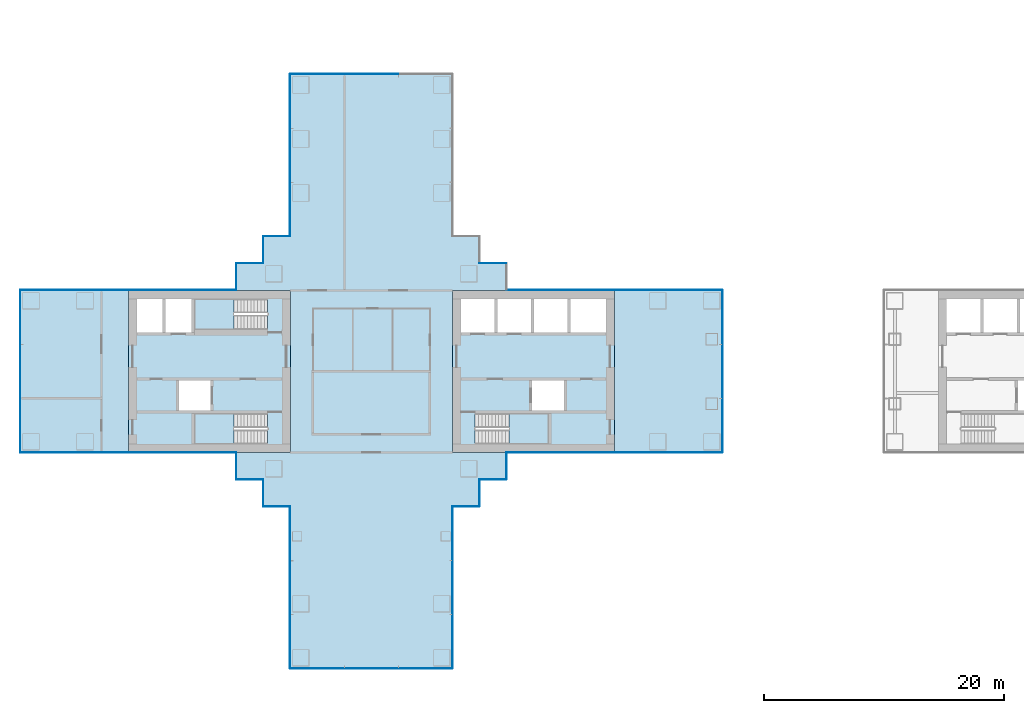
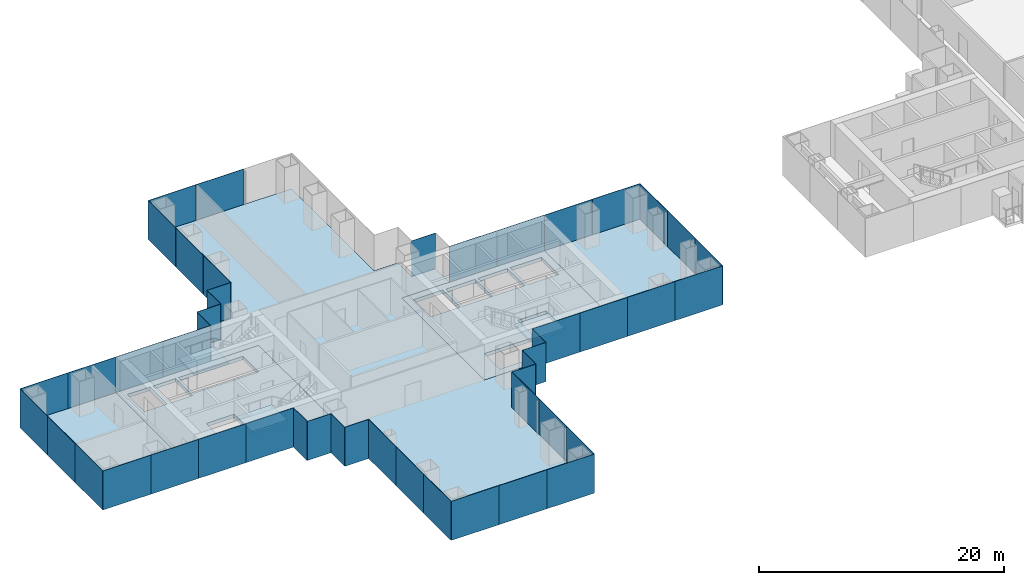
# One storey, part 11 of 22: 49 plates, 8 slabs, 22 elements without a shape of their own.
"""IFC4 building model written with IfcOpenShell, lengths in metres."""

from ifc_helpers import new_model, si_unit, direction, frame, origin, origin_2d, place, context, subcontext, project, spatial, polyline, rectangle, outline, extrude, material, layer, layer_set, type_object, element, aggregate, save


model = new_model("IFC4")

# Units and contexts
model_context = context("Model", 3, precision=1e-05, world=origin(), true_north=direction((0.0, 1.0)))
body_context = subcontext(model_context, "Body", "Model", "MODEL_VIEW")
ifc_project = project(units=[si_unit("LENGTHUNIT", "METRE"), si_unit("AREAUNIT", "SQUARE_METRE"), si_unit("VOLUMEUNIT", "CUBIC_METRE"), si_unit("PLANEANGLEUNIT", "RADIAN"), si_unit("MASSUNIT", "GRAM", prefix="KILO")], contexts=[model_context])

# Site, building, storey
site_placement = place(None, origin())
site = spatial("IfcSite", under=ifc_project, at=site_placement, CompositionType="ELEMENT")
building_placement = place(site_placement, origin())
building = spatial("IfcBuilding", under=site, at=building_placement, Name="Shamsa Quay Exchange Towers", CompositionType="ELEMENT")
storey_placement = place(building_placement, frame((0.0, 0.0, 69.300048828125)))
storey = spatial("IfcBuildingStorey", under=building, at=storey_placement, Name="L15", CompositionType="ELEMENT", Elevation=69.300048828125)

# Slabs
ifc_material_1 = material(Name="Concrete C50/60", Category="concrete")
ifc_layer_1 = layer(ifc_material_1, 0.35009765625)
ifc_layer_set_1 = layer_set([ifc_layer_1], Name="CORE FLOOR 350 C50/60")
slab_type_1 = type_object("IfcSlabType", Name="CORE FLOOR 350 C50/60", PredefinedType="FLOOR", material=ifc_layer_set_1)
slab_1_placement = place(storey_placement, frame((0.0, 0.0, -0.35009765625)))
element("IfcSlab", 1, at=slab_1_placement, inside=storey, type_object=slab_type_1, Name="Core floor T1A", PredefinedType="FLOOR", context=body_context, shape_type="SweptSolid", body=[
    extrude(outline(polyline([(-27.0, -6.75), (-13.5, -6.75), (-13.5, 6.75), (-27.0, 6.75), (-27.0, -6.75)]), holes=[polyline([(-25.099365234375, -6.050048828125), (-25.099365234375, -3.5), (-19.0, -3.5), (-19.0, -6.050048828125), (-25.099365234375, -6.050048828125)]), polyline([(-26.300048828125, 3.25), (-26.300048828125, 6.050048828125), (-23.5, 6.050048828125), (-23.5, 3.25), (-26.300048828125, 3.25)]), polyline([(-23.25, 3.25), (-23.25, 6.050048828125), (-20.449951171875, 6.050048828125), (-20.449951171875, 3.25), (-23.25, 3.25)]), polyline([(-20.199951171875, 3.25), (-20.199951171875, 6.050048828125), (-17.39990234375, 6.050048828125), (-17.39990234375, 3.25), (-20.199951171875, 3.25)]), polyline([(-17.14990234375, 3.25), (-17.14990234375, 6.050048828125), (-14.199951171875, 6.050048828125), (-14.199951171875, 3.25), (-17.14990234375, 3.25)]), polyline([(-20.35009765625, -3.25), (-20.35009765625, -0.75), (-17.699951171875, -0.75), (-17.699951171875, -3.25), (-20.35009765625, -3.25)])]), origin(), (0.0, 0.0, 1.0), 0.35009765625),
])
slab_2_placement = place(storey_placement, frame((0.0, 0.0, -0.35009765625)))
element("IfcSlab", 2, at=slab_2_placement, inside=storey, type_object=slab_type_1, Name="Core floor T1B", PredefinedType="FLOOR", context=body_context, shape_type="SweptSolid", body=[
    extrude(outline(polyline([(-40.5, -6.75), (-40.5, 6.75), (-54.0, 6.75), (-54.0, -6.75), (-40.5, -6.75)]), holes=[polyline([(-42.400634765625, -3.5), (-42.400634765625, -6.050048828125), (-48.5, -6.050048828125), (-48.5, -3.5), (-42.400634765625, -3.5)]), polyline([(-42.400634765625, 6.050048828125), (-42.400634765625, 3.5), (-48.5, 3.5), (-48.5, 6.050048828125), (-42.400634765625, 6.050048828125)]), polyline([(-48.75, 3.25), (-50.89990234375, 3.25), (-50.89990234375, 6.050048828125), (-48.75, 6.050048828125), (-48.75, 3.25)]), polyline([(-51.14990234375, 3.25), (-53.300048828125, 3.25), (-53.300048828125, 6.050048828125), (-51.14990234375, 6.050048828125), (-51.14990234375, 3.25)]), polyline([(-47.14990234375, -3.25), (-49.800048828125, -3.25), (-49.800048828125, -0.75), (-47.14990234375, -0.75), (-47.14990234375, -3.25)])]), origin(), (0.0, 0.0, 1.0), 0.35009765625),
])

# Stair, slab
ifc_material_2 = material(Name="Concrete C40/50", Category="concrete")
stair_type = type_object("IfcStairType", Name="EXIT STAIR 22 RISERS 177 MM", PredefinedType="HALF_TURN_STAIR", material=ifc_material_2)
stair_1_placement = place(storey_placement, origin())
stair_1 = element("IfcStair", 3, at=stair_1_placement, inside=storey, type_object=stair_type, Name="L15 Exit stair ST1", PredefinedType="HALF_TURN_STAIR")
ifc_layer_2 = layer(ifc_material_2, 0.199951171875)
ifc_layer_set_2 = layer_set([ifc_layer_2], Name="CORE STAIR LANDING")
slab_type_2 = type_object("IfcSlabType", Name="CORE STAIR LANDING", PredefinedType="LANDING", material=ifc_layer_set_2)
slab_3_placement = place(storey_placement, frame((0.0, 0.0, 1.75)))
slab_3 = element("IfcSlab", 4, at=slab_3_placement, type_object=slab_type_2, Name="ST1 landing 1", PredefinedType="LANDING", context=body_context, shape_type="SweptSolid", body=[
    extrude(outline(polyline([(-22.300048828125, -6.050048828125), (-19.0, -6.050048828125), (-19.0, -3.5), (-22.300048828125, -3.5), (-22.300048828125, -6.050048828125)])), origin(), (0.0, 0.0, 1.0), 0.199951171875),
])
aggregate(stair_1, [slab_3])

stair_2_placement = place(storey_placement, origin())
stair_2 = element("IfcStair", 5, at=stair_2_placement, inside=storey, type_object=stair_type, Name="L15 Exit stair ST2", PredefinedType="HALF_TURN_STAIR")
slab_4_placement = place(storey_placement, frame((0.0, 0.0, 1.75)))
slab_4 = element("IfcSlab", 6, at=slab_4_placement, type_object=slab_type_2, Name="ST2 landing 1", PredefinedType="LANDING", context=body_context, shape_type="SweptSolid", body=[
    extrude(outline(polyline([(-45.199951171875, -3.5), (-48.5, -3.5), (-48.5, -6.050048828125), (-45.199951171875, -6.050048828125), (-45.199951171875, -3.5)])), origin(), (0.0, 0.0, 1.0), 0.199951171875),
])
aggregate(stair_2, [slab_4])

stair_3_placement = place(storey_placement, origin())
stair_3 = element("IfcStair", 7, at=stair_3_placement, inside=storey, type_object=stair_type, Name="L15 Exit stair ST3", PredefinedType="HALF_TURN_STAIR")
slab_5_placement = place(storey_placement, frame((0.0, 0.0, 1.75)))
slab_5 = element("IfcSlab", 8, at=slab_5_placement, type_object=slab_type_2, Name="ST3 landing 1", PredefinedType="LANDING", context=body_context, shape_type="SweptSolid", body=[
    extrude(outline(polyline([(-45.199951171875, 6.050048828125), (-48.5, 6.050048828125), (-48.5, 3.5), (-45.199951171875, 3.5), (-45.199951171875, 6.050048828125)])), origin(), (0.0, 0.0, 1.0), 0.199951171875),
])
aggregate(stair_3, [slab_5])

# Curtain wall, plates
ifc_material_3 = material(Name="Aluminium EN AW-6063 T6, black anodised", Category="aluminium")
ifc_layer_3 = layer(ifc_material_3, 0.280029296875)
ifc_layer_set_3 = layer_set([ifc_layer_3], Name="CW-1 UNITISED VISION GLASS")
curtain_wall_type_1 = type_object("IfcCurtainWallType", Name="CW-1 UNITISED VISION GLASS", PredefinedType="NOTDEFINED", material=ifc_layer_set_3)
curtain_wall_1_placement = place(storey_placement, origin())
curtain_wall_1 = element("IfcCurtainWall", 9, at=curtain_wall_1_placement, inside=storey, type_object=curtain_wall_type_1, Name="CW1 T1-FLK-V-W L15", PredefinedType="NOTDEFINED")
ifc_material_4 = material(Name="Glass, laminated, dark tinted", Category="glass")
ifc_layer_4 = layer(ifc_material_4, 0.0400390625)
ifc_layer_set_4 = layer_set([ifc_layer_4], Name="CW-1 VISION GLASS 40")
plate_type_1 = type_object("IfcPlateType", Name="CW-1 VISION GLASS 40", PredefinedType="CURTAIN_PANEL", material=ifc_layer_set_4)
plate_1_placement = place(storey_placement, frame((-40.52001953125, -13.529052734375, -0.35009765625), z_axis=(0.0, 0.0, 1.0), x_axis=(0.0, -1.0, 0.0)))
plate_1 = element("IfcPlate", 10, at=plate_1_placement, type_object=plate_type_1, Name="CW1 glass panel", PredefinedType="CURTAIN_PANEL", context=body_context, shape_type="SweptSolid", body=[
    extrude(rectangle(XDim=4.482421875, YDim=0.0400390625, at=origin_2d()), origin(), (0.0, 0.0, 1.0), 3.89990234375),
])
plate_2_placement = place(storey_placement, frame((-40.52001953125, -18.01904296875, -0.35009765625), z_axis=(0.0, 0.0, 1.0), x_axis=(0.0, -1.0, 0.0)))
plate_2 = element("IfcPlate", 11, at=plate_2_placement, type_object=plate_type_1, Name="CW1 glass panel", PredefinedType="CURTAIN_PANEL", context=body_context, shape_type="SweptSolid", body=[
    extrude(rectangle(XDim=4.477294921875, YDim=0.0400390625, at=origin_2d()), origin(), (0.0, 0.0, 1.0), 3.89990234375),
])
plate_3_placement = place(storey_placement, frame((-40.52001953125, -22.5087890625, -0.35009765625), z_axis=(0.0, 0.0, 1.0), x_axis=(0.0, -1.0, 0.0)))
plate_3 = element("IfcPlate", 12, at=plate_3_placement, type_object=plate_type_1, Name="CW1 glass panel", PredefinedType="CURTAIN_PANEL", context=body_context, shape_type="SweptSolid", body=[
    extrude(rectangle(XDim=4.482421875, YDim=0.0400390625, at=origin_2d()), origin(), (0.0, 0.0, 1.0), 3.89990234375),
])
aggregate(curtain_wall_1, [plate_1, plate_2, plate_3])

curtain_wall_2_placement = place(storey_placement, origin())
curtain_wall_2 = element("IfcCurtainWall", 13, at=curtain_wall_2_placement, inside=storey, type_object=curtain_wall_type_1, Name="CW1 T1-END-V- L15", PredefinedType="NOTDEFINED")
plate_4_placement = place(storey_placement, frame((-38.25244140625, -24.77001953125, -0.35009765625)))
plate_4 = element("IfcPlate", 14, at=plate_4_placement, type_object=plate_type_1, Name="CW1 glass panel", PredefinedType="CURTAIN_PANEL", context=body_context, shape_type="SweptSolid", body=[
    extrude(rectangle(XDim=4.4951171875, YDim=0.0400390625, at=origin_2d()), origin(), (0.0, 0.0, 1.0), 3.89990234375),
])
plate_5_placement = place(storey_placement, frame((-33.75, -24.77001953125, -0.35009765625)))
plate_5 = element("IfcPlate", 15, at=plate_5_placement, type_object=plate_type_1, Name="CW1 glass panel", PredefinedType="CURTAIN_PANEL", context=body_context, shape_type="SweptSolid", body=[
    extrude(rectangle(XDim=4.489990234375, YDim=0.0400390625, at=origin_2d()), origin(), (0.0, 0.0, 1.0), 3.89990234375),
])
plate_6_placement = place(storey_placement, frame((-29.24755859375, -24.77001953125, -0.35009765625)))
plate_6 = element("IfcPlate", 16, at=plate_6_placement, type_object=plate_type_1, Name="CW1 glass panel", PredefinedType="CURTAIN_PANEL", context=body_context, shape_type="SweptSolid", body=[
    extrude(rectangle(XDim=4.4951171875, YDim=0.0400390625, at=origin_2d()), origin(), (0.0, 0.0, 1.0), 3.89990234375),
])
aggregate(curtain_wall_2, [plate_4, plate_5, plate_6])

curtain_wall_3_placement = place(storey_placement, origin())
curtain_wall_3 = element("IfcCurtainWall", 17, at=curtain_wall_3_placement, inside=storey, type_object=curtain_wall_type_1, Name="CW1 T1-FLK-V-E L15", PredefinedType="NOTDEFINED")
plate_7_placement = place(storey_placement, frame((-26.97998046875, -22.50244140625, -0.35009765625), z_axis=(0.0, 0.0, 1.0), x_axis=(0.0, 1.0, 0.0)))
plate_7 = element("IfcPlate", 18, at=plate_7_placement, type_object=plate_type_1, Name="CW1 glass panel", PredefinedType="CURTAIN_PANEL", context=body_context, shape_type="SweptSolid", body=[
    extrude(rectangle(XDim=4.4951171875, YDim=0.0400390625, at=origin_2d()), origin(), (0.0, 0.0, 1.0), 3.89990234375),
])
plate_8_placement = place(storey_placement, frame((-26.97998046875, -18.0, -0.35009765625), z_axis=(0.0, 0.0, 1.0), x_axis=(0.0, 1.0, 0.0)))
plate_8 = element("IfcPlate", 19, at=plate_8_placement, type_object=plate_type_1, Name="CW1 glass panel", PredefinedType="CURTAIN_PANEL", context=body_context, shape_type="SweptSolid", body=[
    extrude(rectangle(XDim=4.489990234375, YDim=0.0400390625, at=origin_2d()), origin(), (0.0, 0.0, 1.0), 3.89990234375),
])
plate_9_placement = place(storey_placement, frame((-26.97998046875, -13.49755859375, -0.35009765625), z_axis=(0.0, 0.0, 1.0), x_axis=(0.0, 1.0, 0.0)))
plate_9 = element("IfcPlate", 20, at=plate_9_placement, type_object=plate_type_1, Name="CW1 glass panel", PredefinedType="CURTAIN_PANEL", context=body_context, shape_type="SweptSolid", body=[
    extrude(rectangle(XDim=4.4951171875, YDim=0.0400390625, at=origin_2d()), origin(), (0.0, 0.0, 1.0), 3.89990234375),
])
aggregate(curtain_wall_3, [plate_7, plate_8, plate_9])

curtain_wall_4_placement = place(storey_placement, origin())
curtain_wall_4 = element("IfcCurtainWall", 21, at=curtain_wall_4_placement, inside=storey, type_object=curtain_wall_type_1, Name="CW1 T1-FLK-U+S L15", PredefinedType="NOTDEFINED")
plate_10_placement = place(storey_placement, frame((-11.25244140625, -6.77001953125, -0.35009765625)))
plate_10 = element("IfcPlate", 22, at=plate_10_placement, type_object=plate_type_1, Name="CW1 glass panel", PredefinedType="CURTAIN_PANEL", context=body_context, shape_type="SweptSolid", body=[
    extrude(rectangle(XDim=4.4951171875, YDim=0.0400390625, at=origin_2d()), origin(), (0.0, 0.0, 1.0), 3.89990234375),
])
plate_11_placement = place(storey_placement, frame((-6.74755859375, -6.77001953125, -0.35009765625)))
plate_11 = element("IfcPlate", 23, at=plate_11_placement, type_object=plate_type_1, Name="CW1 glass panel", PredefinedType="CURTAIN_PANEL", context=body_context, shape_type="SweptSolid", body=[
    extrude(rectangle(XDim=4.4951171875, YDim=0.0400390625, at=origin_2d()), origin(), (0.0, 0.0, 1.0), 3.89990234375),
])
aggregate(curtain_wall_4, [plate_10, plate_11])

curtain_wall_5_placement = place(storey_placement, origin())
curtain_wall_5 = element("IfcCurtainWall", 24, at=curtain_wall_5_placement, inside=storey, type_object=curtain_wall_type_1, Name="CW1 T1-END-U+ L15", PredefinedType="NOTDEFINED")
plate_12_placement = place(storey_placement, frame((-4.47998046875, -4.50244140625, -0.35009765625), z_axis=(0.0, 0.0, 1.0), x_axis=(0.0, 1.0, 0.0)))
plate_12 = element("IfcPlate", 25, at=plate_12_placement, type_object=plate_type_1, Name="CW1 glass panel", PredefinedType="CURTAIN_PANEL", context=body_context, shape_type="SweptSolid", body=[
    extrude(rectangle(XDim=4.4951171875, YDim=0.0400390625, at=origin_2d()), origin(), (0.0, 0.0, 1.0), 3.89990234375),
])
plate_13_placement = place(storey_placement, frame((-4.47998046875, 0.0, -0.35009765625), z_axis=(0.0, 0.0, 1.0), x_axis=(0.0, 1.0, 0.0)))
plate_13 = element("IfcPlate", 26, at=plate_13_placement, type_object=plate_type_1, Name="CW1 glass panel", PredefinedType="CURTAIN_PANEL", context=body_context, shape_type="SweptSolid", body=[
    extrude(rectangle(XDim=4.489990234375, YDim=0.0400390625, at=origin_2d()), origin(), (0.0, 0.0, 1.0), 3.89990234375),
])
plate_14_placement = place(storey_placement, frame((-4.47998046875, 4.50244140625, -0.35009765625), z_axis=(0.0, 0.0, 1.0), x_axis=(0.0, 1.0, 0.0)))
plate_14 = element("IfcPlate", 27, at=plate_14_placement, type_object=plate_type_1, Name="CW1 glass panel", PredefinedType="CURTAIN_PANEL", context=body_context, shape_type="SweptSolid", body=[
    extrude(rectangle(XDim=4.4951171875, YDim=0.0400390625, at=origin_2d()), origin(), (0.0, 0.0, 1.0), 3.89990234375),
])
aggregate(curtain_wall_5, [plate_12, plate_13, plate_14])

curtain_wall_6_placement = place(storey_placement, origin())
curtain_wall_6 = element("IfcCurtainWall", 28, at=curtain_wall_6_placement, inside=storey, type_object=curtain_wall_type_1, Name="CW1 T1-FLK-U+N L15", PredefinedType="NOTDEFINED")
plate_15_placement = place(storey_placement, frame((-6.74755859375, 6.77001953125, -0.35009765625), z_axis=(0.0, 0.0, 1.0), x_axis=(-1.0, 0.0, 0.0)))
plate_15 = element("IfcPlate", 29, at=plate_15_placement, type_object=plate_type_1, Name="CW1 glass panel", PredefinedType="CURTAIN_PANEL", context=body_context, shape_type="SweptSolid", body=[
    extrude(rectangle(XDim=4.4951171875, YDim=0.0400390625, at=origin_2d()), origin(), (0.0, 0.0, 1.0), 3.89990234375),
])
plate_16_placement = place(storey_placement, frame((-11.25244140625, 6.77001953125, -0.35009765625), z_axis=(0.0, 0.0, 1.0), x_axis=(-1.0, 0.0, 0.0)))
plate_16 = element("IfcPlate", 30, at=plate_16_placement, type_object=plate_type_1, Name="CW1 glass panel", PredefinedType="CURTAIN_PANEL", context=body_context, shape_type="SweptSolid", body=[
    extrude(rectangle(XDim=4.4951171875, YDim=0.0400390625, at=origin_2d()), origin(), (0.0, 0.0, 1.0), 3.89990234375),
])
aggregate(curtain_wall_6, [plate_15, plate_16])

curtain_wall_7_placement = place(storey_placement, origin())
curtain_wall_7 = element("IfcCurtainWall", 31, at=curtain_wall_7_placement, inside=storey, type_object=curtain_wall_type_1, Name="CW1 T1-END-V+ L15", PredefinedType="NOTDEFINED")
plate_17_placement = place(storey_placement, frame((-33.75, 24.77001953125, -0.35009765625), z_axis=(0.0, 0.0, 1.0), x_axis=(-1.0, 0.0, 0.0)))
plate_17 = element("IfcPlate", 32, at=plate_17_placement, type_object=plate_type_1, Name="CW1 glass panel", PredefinedType="CURTAIN_PANEL", context=body_context, shape_type="SweptSolid", body=[
    extrude(rectangle(XDim=4.489990234375, YDim=0.0400390625, at=origin_2d()), origin(), (0.0, 0.0, 1.0), 3.89990234375),
])
plate_18_placement = place(storey_placement, frame((-38.25244140625, 24.77001953125, -0.35009765625), z_axis=(0.0, 0.0, 1.0), x_axis=(-1.0, 0.0, 0.0)))
plate_18 = element("IfcPlate", 33, at=plate_18_placement, type_object=plate_type_1, Name="CW1 glass panel", PredefinedType="CURTAIN_PANEL", context=body_context, shape_type="SweptSolid", body=[
    extrude(rectangle(XDim=4.4951171875, YDim=0.0400390625, at=origin_2d()), origin(), (0.0, 0.0, 1.0), 3.89990234375),
])
aggregate(curtain_wall_7, [plate_17, plate_18])

curtain_wall_8_placement = place(storey_placement, origin())
curtain_wall_8 = element("IfcCurtainWall", 34, at=curtain_wall_8_placement, inside=storey, type_object=curtain_wall_type_1, Name="CW1 T1-FLK-V+W L15", PredefinedType="NOTDEFINED")
plate_19_placement = place(storey_placement, frame((-40.52001953125, 22.50244140625, -0.35009765625), z_axis=(0.0, 0.0, 1.0), x_axis=(0.0, -1.0, 0.0)))
plate_19 = element("IfcPlate", 35, at=plate_19_placement, type_object=plate_type_1, Name="CW1 glass panel", PredefinedType="CURTAIN_PANEL", context=body_context, shape_type="SweptSolid", body=[
    extrude(rectangle(XDim=4.4951171875, YDim=0.0400390625, at=origin_2d()), origin(), (0.0, 0.0, 1.0), 3.89990234375),
])
plate_20_placement = place(storey_placement, frame((-40.52001953125, 18.0, -0.35009765625), z_axis=(0.0, 0.0, 1.0), x_axis=(0.0, -1.0, 0.0)))
plate_20 = element("IfcPlate", 36, at=plate_20_placement, type_object=plate_type_1, Name="CW1 glass panel", PredefinedType="CURTAIN_PANEL", context=body_context, shape_type="SweptSolid", body=[
    extrude(rectangle(XDim=4.489990234375, YDim=0.0400390625, at=origin_2d()), origin(), (0.0, 0.0, 1.0), 3.89990234375),
])
plate_21_placement = place(storey_placement, frame((-40.52001953125, 13.49755859375, -0.35009765625), z_axis=(0.0, 0.0, 1.0), x_axis=(0.0, -1.0, 0.0)))
plate_21 = element("IfcPlate", 37, at=plate_21_placement, type_object=plate_type_1, Name="CW1 glass panel", PredefinedType="CURTAIN_PANEL", context=body_context, shape_type="SweptSolid", body=[
    extrude(rectangle(XDim=4.4951171875, YDim=0.0400390625, at=origin_2d()), origin(), (0.0, 0.0, 1.0), 3.89990234375),
])
aggregate(curtain_wall_8, [plate_19, plate_20, plate_21])

curtain_wall_9_placement = place(storey_placement, origin())
curtain_wall_9 = element("IfcCurtainWall", 38, at=curtain_wall_9_placement, inside=storey, type_object=curtain_wall_type_1, Name="CW1 T1-FLK-U-N L15", PredefinedType="NOTDEFINED")
plate_22_placement = place(storey_placement, frame((-56.24755859375, 6.77001953125, -0.35009765625), z_axis=(0.0, 0.0, 1.0), x_axis=(-1.0, 0.0, 0.0)))
plate_22 = element("IfcPlate", 39, at=plate_22_placement, type_object=plate_type_1, Name="CW1 glass panel", PredefinedType="CURTAIN_PANEL", context=body_context, shape_type="SweptSolid", body=[
    extrude(rectangle(XDim=4.4951171875, YDim=0.0400390625, at=origin_2d()), origin(), (0.0, 0.0, 1.0), 3.89990234375),
])
plate_23_placement = place(storey_placement, frame((-60.75244140625, 6.77001953125, -0.35009765625), z_axis=(0.0, 0.0, 1.0), x_axis=(-1.0, 0.0, 0.0)))
plate_23 = element("IfcPlate", 40, at=plate_23_placement, type_object=plate_type_1, Name="CW1 glass panel", PredefinedType="CURTAIN_PANEL", context=body_context, shape_type="SweptSolid", body=[
    extrude(rectangle(XDim=4.4951171875, YDim=0.0400390625, at=origin_2d()), origin(), (0.0, 0.0, 1.0), 3.89990234375),
])
aggregate(curtain_wall_9, [plate_22, plate_23])

curtain_wall_10_placement = place(storey_placement, origin())
curtain_wall_10 = element("IfcCurtainWall", 41, at=curtain_wall_10_placement, inside=storey, type_object=curtain_wall_type_1, Name="CW1 T1-END-U- L15", PredefinedType="NOTDEFINED")
plate_24_placement = place(storey_placement, frame((-63.02001953125, 4.50244140625, -0.35009765625), z_axis=(0.0, 0.0, 1.0), x_axis=(0.0, -1.0, 0.0)))
plate_24 = element("IfcPlate", 42, at=plate_24_placement, type_object=plate_type_1, Name="CW1 glass panel", PredefinedType="CURTAIN_PANEL", context=body_context, shape_type="SweptSolid", body=[
    extrude(rectangle(XDim=4.4951171875, YDim=0.0400390625, at=origin_2d()), origin(), (0.0, 0.0, 1.0), 3.89990234375),
])
plate_25_placement = place(storey_placement, frame((-63.02001953125, 0.0, -0.35009765625), z_axis=(0.0, 0.0, 1.0), x_axis=(0.0, -1.0, 0.0)))
plate_25 = element("IfcPlate", 43, at=plate_25_placement, type_object=plate_type_1, Name="CW1 glass panel", PredefinedType="CURTAIN_PANEL", context=body_context, shape_type="SweptSolid", body=[
    extrude(rectangle(XDim=4.489990234375, YDim=0.0400390625, at=origin_2d()), origin(), (0.0, 0.0, 1.0), 3.89990234375),
])
plate_26_placement = place(storey_placement, frame((-63.02001953125, -4.50244140625, -0.35009765625), z_axis=(0.0, 0.0, 1.0), x_axis=(0.0, -1.0, 0.0)))
plate_26 = element("IfcPlate", 44, at=plate_26_placement, type_object=plate_type_1, Name="CW1 glass panel", PredefinedType="CURTAIN_PANEL", context=body_context, shape_type="SweptSolid", body=[
    extrude(rectangle(XDim=4.4951171875, YDim=0.0400390625, at=origin_2d()), origin(), (0.0, 0.0, 1.0), 3.89990234375),
])
aggregate(curtain_wall_10, [plate_24, plate_25, plate_26])

curtain_wall_11_placement = place(storey_placement, origin())
curtain_wall_11 = element("IfcCurtainWall", 45, at=curtain_wall_11_placement, inside=storey, type_object=curtain_wall_type_1, Name="CW1 T1-FLK-U-S L15", PredefinedType="NOTDEFINED")
plate_27_placement = place(storey_placement, frame((-60.75244140625, -6.77001953125, -0.35009765625)))
plate_27 = element("IfcPlate", 46, at=plate_27_placement, type_object=plate_type_1, Name="CW1 glass panel", PredefinedType="CURTAIN_PANEL", context=body_context, shape_type="SweptSolid", body=[
    extrude(rectangle(XDim=4.4951171875, YDim=0.0400390625, at=origin_2d()), origin(), (0.0, 0.0, 1.0), 3.89990234375),
])
plate_28_placement = place(storey_placement, frame((-56.24755859375, -6.77001953125, -0.35009765625)))
plate_28 = element("IfcPlate", 47, at=plate_28_placement, type_object=plate_type_1, Name="CW1 glass panel", PredefinedType="CURTAIN_PANEL", context=body_context, shape_type="SweptSolid", body=[
    extrude(rectangle(XDim=4.4951171875, YDim=0.0400390625, at=origin_2d()), origin(), (0.0, 0.0, 1.0), 3.89990234375),
])
aggregate(curtain_wall_11, [plate_27, plate_28])

ifc_layer_5 = layer(ifc_material_3, 0.303955078125)
ifc_layer_set_5 = layer_set([ifc_layer_5], Name="CW-2 UNITISED OPAQUE SPANDREL GLASS")
curtain_wall_type_2 = type_object("IfcCurtainWallType", Name="CW-2 UNITISED OPAQUE SPANDREL GLASS", PredefinedType="NOTDEFINED", material=ifc_layer_set_5)
curtain_wall_12_placement = place(storey_placement, origin())
curtain_wall_12 = element("IfcCurtainWall", 48, at=curtain_wall_12_placement, inside=storey, type_object=curtain_wall_type_2, Name="CW2 T1-FLK-U+S L15", PredefinedType="NOTDEFINED")
ifc_material_5 = material(Name="Glass, laminated, black enamelled opaque", Category="glass")
ifc_layer_6 = layer(ifc_material_5, 0.0439453125)
ifc_layer_set_6 = layer_set([ifc_layer_6], Name="CW-2 SPANDREL GLASS 44")
plate_type_2 = type_object("IfcPlateType", Name="CW-2 SPANDREL GLASS 44", PredefinedType="CURTAIN_PANEL", material=ifc_layer_set_6)
plate_29_placement = place(storey_placement, frame((-20.22412109375, -6.77197265625, -0.35009765625)))
plate_29 = element("IfcPlate", 49, at=plate_29_placement, type_object=plate_type_2, Name="CW2 glass panel", PredefinedType="CURTAIN_PANEL", context=body_context, shape_type="SweptSolid", body=[
    extrude(rectangle(XDim=4.47607421875, YDim=0.0439453125, at=origin_2d()), origin(), (0.0, 0.0, 1.0), 3.89990234375),
])
plate_30_placement = place(storey_placement, frame((-15.738037109375, -6.77197265625, -0.35009765625)))
plate_30 = element("IfcPlate", 50, at=plate_30_placement, type_object=plate_type_2, Name="CW2 glass panel", PredefinedType="CURTAIN_PANEL", context=body_context, shape_type="SweptSolid", body=[
    extrude(rectangle(XDim=4.47607421875, YDim=0.0439453125, at=origin_2d()), origin(), (0.0, 0.0, 1.0), 3.89990234375),
])
aggregate(curtain_wall_12, [plate_29, plate_30])

curtain_wall_13_placement = place(storey_placement, origin())
curtain_wall_13 = element("IfcCurtainWall", 51, at=curtain_wall_13_placement, inside=storey, type_object=curtain_wall_type_2, Name="CW2 T1-FLK-U+N L15", PredefinedType="NOTDEFINED")
plate_31_placement = place(storey_placement, frame((-15.74755859375, 6.77197265625, -0.35009765625), z_axis=(0.0, 0.0, 1.0), x_axis=(-1.0, 0.0, 0.0)))
plate_31 = element("IfcPlate", 52, at=plate_31_placement, type_object=plate_type_2, Name="CW2 glass panel", PredefinedType="CURTAIN_PANEL", context=body_context, shape_type="SweptSolid", body=[
    extrude(rectangle(XDim=4.4951171875, YDim=0.0439453125, at=origin_2d()), origin(), (0.0, 0.0, 1.0), 3.89990234375),
])
plate_32_placement = place(storey_placement, frame((-20.25244140625, 6.77197265625, -0.35009765625), z_axis=(0.0, 0.0, 1.0), x_axis=(-1.0, 0.0, 0.0)))
plate_32 = element("IfcPlate", 53, at=plate_32_placement, type_object=plate_type_2, Name="CW2 glass panel", PredefinedType="CURTAIN_PANEL", context=body_context, shape_type="SweptSolid", body=[
    extrude(rectangle(XDim=4.4951171875, YDim=0.0439453125, at=origin_2d()), origin(), (0.0, 0.0, 1.0), 3.89990234375),
])
aggregate(curtain_wall_13, [plate_31, plate_32])

curtain_wall_14_placement = place(storey_placement, origin())
curtain_wall_14 = element("IfcCurtainWall", 54, at=curtain_wall_14_placement, inside=storey, type_object=curtain_wall_type_2, Name="CW2 T1-FLK-U-N L15", PredefinedType="NOTDEFINED")
plate_33_placement = place(storey_placement, frame((-47.27587890625, 6.77197265625, -0.35009765625), z_axis=(0.0, 0.0, 1.0), x_axis=(-1.0, 0.0, 0.0)))
plate_33 = element("IfcPlate", 55, at=plate_33_placement, type_object=plate_type_2, Name="CW2 glass panel", PredefinedType="CURTAIN_PANEL", context=body_context, shape_type="SweptSolid", body=[
    extrude(rectangle(XDim=4.47607421875, YDim=0.0439453125, at=origin_2d()), origin(), (0.0, 0.0, 1.0), 3.89990234375),
])
plate_34_placement = place(storey_placement, frame((-51.761962890625, 6.77197265625, -0.35009765625), z_axis=(0.0, 0.0, 1.0), x_axis=(-1.0, 0.0, 0.0)))
plate_34 = element("IfcPlate", 56, at=plate_34_placement, type_object=plate_type_2, Name="CW2 glass panel", PredefinedType="CURTAIN_PANEL", context=body_context, shape_type="SweptSolid", body=[
    extrude(rectangle(XDim=4.47607421875, YDim=0.0439453125, at=origin_2d()), origin(), (0.0, 0.0, 1.0), 3.89990234375),
])
aggregate(curtain_wall_14, [plate_33, plate_34])

curtain_wall_15_placement = place(storey_placement, origin())
curtain_wall_15 = element("IfcCurtainWall", 57, at=curtain_wall_15_placement, inside=storey, type_object=curtain_wall_type_2, Name="CW2 T1-FLK-U-S L15", PredefinedType="NOTDEFINED")
plate_35_placement = place(storey_placement, frame((-51.75244140625, -6.77197265625, -0.35009765625)))
plate_35 = element("IfcPlate", 58, at=plate_35_placement, type_object=plate_type_2, Name="CW2 glass panel", PredefinedType="CURTAIN_PANEL", context=body_context, shape_type="SweptSolid", body=[
    extrude(rectangle(XDim=4.4951171875, YDim=0.0439453125, at=origin_2d()), origin(), (0.0, 0.0, 1.0), 3.89990234375),
])
plate_36_placement = place(storey_placement, frame((-47.24755859375, -6.77197265625, -0.35009765625)))
plate_36 = element("IfcPlate", 59, at=plate_36_placement, type_object=plate_type_2, Name="CW2 glass panel", PredefinedType="CURTAIN_PANEL", context=body_context, shape_type="SweptSolid", body=[
    extrude(rectangle(XDim=4.4951171875, YDim=0.0439453125, at=origin_2d()), origin(), (0.0, 0.0, 1.0), 3.89990234375),
])
aggregate(curtain_wall_15, [plate_35, plate_36])

ifc_layer_7 = layer(ifc_material_3, 0.256103515625)
ifc_layer_set_7 = layer_set([ifc_layer_7], Name="CW-4 POCKET SERRATED GLAZING")
curtain_wall_type_3 = type_object("IfcCurtainWallType", Name="CW-4 POCKET SERRATED GLAZING", PredefinedType="NOTDEFINED", material=ifc_layer_set_7)
curtain_wall_16_placement = place(storey_placement, origin())
curtain_wall_16 = element("IfcCurtainWall", 60, at=curtain_wall_16_placement, inside=storey, type_object=curtain_wall_type_3, Name="CW4 PKWS L15", PredefinedType="NOTDEFINED")
ifc_layer_8 = layer(ifc_material_4, 0.035888671875)
ifc_layer_set_8 = layer_set([ifc_layer_8], Name="CW-4 POCKET GLASS 36")
plate_type_3 = type_object("IfcPlateType", Name="CW-4 POCKET GLASS 36", PredefinedType="CURTAIN_PANEL", material=ifc_layer_set_8)
plate_37_placement = place(storey_placement, frame((-42.76806640625, -10.14404296875, -0.35009765625), z_axis=(0.0, 0.0, 1.0), x_axis=(0.0, -1.0, 0.0)))
plate_37 = element("IfcPlate", 61, at=plate_37_placement, type_object=plate_type_3, Name="CW4 glass panel", PredefinedType="CURTAIN_PANEL", context=body_context, shape_type="SweptSolid", body=[
    extrude(rectangle(XDim=2.2119140625, YDim=0.035888671875, at=origin_2d()), origin(), (0.0, 0.0, 1.0), 3.89990234375),
])
plate_38_placement = place(storey_placement, frame((-41.625, -11.26806640625, -0.35009765625)))
plate_38 = element("IfcPlate", 62, at=plate_38_placement, type_object=plate_type_3, Name="CW4 glass panel", PredefinedType="CURTAIN_PANEL", context=body_context, shape_type="SweptSolid", body=[
    extrude(rectangle(XDim=2.25, YDim=0.035888671875, at=origin_2d()), origin(), (0.0, 0.0, 1.0), 3.89990234375),
])
plate_39_placement = place(storey_placement, frame((-45.01806640625, -7.89794921875, -0.35009765625), z_axis=(0.0, 0.0, 1.0), x_axis=(0.0, -1.0, 0.0)))
plate_39 = element("IfcPlate", 63, at=plate_39_placement, type_object=plate_type_3, Name="CW4 glass panel", PredefinedType="CURTAIN_PANEL", context=body_context, shape_type="SweptSolid", body=[
    extrude(rectangle(XDim=2.2041015625, YDim=0.035888671875, at=origin_2d()), origin(), (0.0, 0.0, 1.0), 3.89990234375),
])
plate_40_placement = place(storey_placement, frame((-43.875, -9.01806640625, -0.35009765625)))
plate_40 = element("IfcPlate", 64, at=plate_40_placement, type_object=plate_type_3, Name="CW4 glass panel", PredefinedType="CURTAIN_PANEL", context=body_context, shape_type="SweptSolid", body=[
    extrude(rectangle(XDim=2.25, YDim=0.035888671875, at=origin_2d()), origin(), (0.0, 0.0, 1.0), 3.89990234375),
])
aggregate(curtain_wall_16, [plate_37, plate_38, plate_39, plate_40])

curtain_wall_17_placement = place(storey_placement, origin())
curtain_wall_17 = element("IfcCurtainWall", 65, at=curtain_wall_17_placement, inside=storey, type_object=curtain_wall_type_3, Name="CW4 PKES L15", PredefinedType="NOTDEFINED")
plate_41_placement = place(storey_placement, frame((-25.85400390625, -11.26806640625, -0.35009765625)))
plate_41 = element("IfcPlate", 66, at=plate_41_placement, type_object=plate_type_3, Name="CW4 glass panel", PredefinedType="CURTAIN_PANEL", context=body_context, shape_type="SweptSolid", body=[
    extrude(rectangle(XDim=2.2080078125, YDim=0.035888671875, at=origin_2d()), origin(), (0.0, 0.0, 1.0), 3.89990234375),
])
plate_42_placement = place(storey_placement, frame((-24.73193359375, -10.125, -0.35009765625), z_axis=(0.0, 0.0, 1.0), x_axis=(0.0, 1.0, 0.0)))
plate_42 = element("IfcPlate", 67, at=plate_42_placement, type_object=plate_type_3, Name="CW4 glass panel", PredefinedType="CURTAIN_PANEL", context=body_context, shape_type="SweptSolid", body=[
    extrude(rectangle(XDim=2.25, YDim=0.035888671875, at=origin_2d()), origin(), (0.0, 0.0, 1.0), 3.89990234375),
])
plate_43_placement = place(storey_placement, frame((-23.60595703125, -9.01806640625, -0.35009765625)))
plate_43 = element("IfcPlate", 68, at=plate_43_placement, type_object=plate_type_3, Name="CW4 glass panel", PredefinedType="CURTAIN_PANEL", context=body_context, shape_type="SweptSolid", body=[
    extrude(rectangle(XDim=2.2119140625, YDim=0.035888671875, at=origin_2d()), origin(), (0.0, 0.0, 1.0), 3.89990234375),
])
plate_44_placement = place(storey_placement, frame((-22.48193359375, -7.875, -0.35009765625), z_axis=(0.0, 0.0, 1.0), x_axis=(0.0, 1.0, 0.0)))
plate_44 = element("IfcPlate", 69, at=plate_44_placement, type_object=plate_type_3, Name="CW4 glass panel", PredefinedType="CURTAIN_PANEL", context=body_context, shape_type="SweptSolid", body=[
    extrude(rectangle(XDim=2.25, YDim=0.035888671875, at=origin_2d()), origin(), (0.0, 0.0, 1.0), 3.89990234375),
])
aggregate(curtain_wall_17, [plate_41, plate_42, plate_43, plate_44])

# Curtain wall, plate
curtain_wall_18_placement = place(storey_placement, origin())
curtain_wall_18 = element("IfcCurtainWall", 70, at=curtain_wall_18_placement, inside=storey, type_object=curtain_wall_type_3, Name="CW4 PKEN L15", PredefinedType="NOTDEFINED")
plate_45_placement = place(storey_placement, frame((-23.625, 9.01806640625, -0.35009765625), z_axis=(0.0, 0.0, 1.0), x_axis=(-1.0, 0.0, 0.0)))
plate_45 = element("IfcPlate", 71, at=plate_45_placement, type_object=plate_type_3, Name="CW4 glass panel", PredefinedType="CURTAIN_PANEL", context=body_context, shape_type="SweptSolid", body=[
    extrude(rectangle(XDim=2.25, YDim=0.035888671875, at=origin_2d()), origin(), (0.0, 0.0, 1.0), 3.89990234375),
])
aggregate(curtain_wall_18, [plate_45])

# Curtain wall, plates
curtain_wall_19_placement = place(storey_placement, origin())
curtain_wall_19 = element("IfcCurtainWall", 72, at=curtain_wall_19_placement, inside=storey, type_object=curtain_wall_type_3, Name="CW4 PKWN L15", PredefinedType="NOTDEFINED")
plate_46_placement = place(storey_placement, frame((-41.64599609375, 11.26806640625, -0.35009765625), z_axis=(0.0, 0.0, 1.0), x_axis=(-1.0, 0.0, 0.0)))
plate_46 = element("IfcPlate", 73, at=plate_46_placement, type_object=plate_type_3, Name="CW4 glass panel", PredefinedType="CURTAIN_PANEL", context=body_context, shape_type="SweptSolid", body=[
    extrude(rectangle(XDim=2.2080078125, YDim=0.035888671875, at=origin_2d()), origin(), (0.0, 0.0, 1.0), 3.89990234375),
])
plate_47_placement = place(storey_placement, frame((-42.76806640625, 10.125, -0.35009765625), z_axis=(0.0, 0.0, 1.0), x_axis=(0.0, -1.0, 0.0)))
plate_47 = element("IfcPlate", 74, at=plate_47_placement, type_object=plate_type_3, Name="CW4 glass panel", PredefinedType="CURTAIN_PANEL", context=body_context, shape_type="SweptSolid", body=[
    extrude(rectangle(XDim=2.25, YDim=0.035888671875, at=origin_2d()), origin(), (0.0, 0.0, 1.0), 3.89990234375),
])
plate_48_placement = place(storey_placement, frame((-43.89404296875, 9.01806640625, -0.35009765625), z_axis=(0.0, 0.0, 1.0), x_axis=(-1.0, 0.0, 0.0)))
plate_48 = element("IfcPlate", 75, at=plate_48_placement, type_object=plate_type_3, Name="CW4 glass panel", PredefinedType="CURTAIN_PANEL", context=body_context, shape_type="SweptSolid", body=[
    extrude(rectangle(XDim=2.2119140625, YDim=0.035888671875, at=origin_2d()), origin(), (0.0, 0.0, 1.0), 3.89990234375),
])
plate_49_placement = place(storey_placement, frame((-45.01806640625, 7.875, -0.35009765625), z_axis=(0.0, 0.0, 1.0), x_axis=(0.0, -1.0, 0.0)))
plate_49 = element("IfcPlate", 76, at=plate_49_placement, type_object=plate_type_3, Name="CW4 glass panel", PredefinedType="CURTAIN_PANEL", context=body_context, shape_type="SweptSolid", body=[
    extrude(rectangle(XDim=2.25, YDim=0.035888671875, at=origin_2d()), origin(), (0.0, 0.0, 1.0), 3.89990234375),
])
aggregate(curtain_wall_19, [plate_46, plate_47, plate_48, plate_49])

# Slabs
ifc_layer_9 = layer(ifc_material_2, 0.35009765625)
ifc_layer_set_9 = layer_set([ifc_layer_9], Name="Flat slab 350")
slab_type_3 = type_object("IfcSlabType", Name="Flat slab 350", PredefinedType="FLOOR", material=ifc_layer_set_9)
slab_6_placement = place(storey_placement, frame((0.0, 0.0, -0.35009765625)))
element("IfcSlab", 77, at=slab_6_placement, inside=storey, type_object=slab_type_3, Name="Flat slab T1 L15 1", PredefinedType="FLOOR", context=body_context, shape_type="SweptSolid", body=[
    extrude(outline(polyline([(-63.0, -6.75), (-54.0, -6.75), (-54.0, 6.75), (-63.0, 6.75), (-63.0, -6.75)])), origin(), (0.0, 0.0, 1.0), 0.35009765625),
])
slab_7_placement = place(storey_placement, frame((0.0, 0.0, -0.35009765625)))
element("IfcSlab", 78, at=slab_7_placement, inside=storey, type_object=slab_type_3, Name="Flat slab T1 L15 2", PredefinedType="FLOOR", context=body_context, shape_type="SweptSolid", body=[
    extrude(outline(polyline([(-22.5, -9.0), (-22.5, -6.75), (-27.0, -6.75), (-27.0, 6.75), (-22.5, 6.75), (-22.5, 9.0), (-24.75, 9.0), (-24.75, 11.25), (-27.0, 11.25), (-27.0, 24.75), (-40.5, 24.75), (-40.5, 11.25), (-42.75, 11.25), (-42.75, 9.0), (-45.0, 9.0), (-45.0, 6.75), (-40.5, 6.75), (-40.5, -6.75), (-45.0, -6.75), (-45.0, -9.0), (-42.75, -9.0), (-42.75, -11.25), (-40.5, -11.25), (-40.5, -24.75), (-27.0, -24.75), (-27.0, -11.25), (-24.75, -11.25), (-24.75, -9.0), (-22.5, -9.0)])), origin(), (0.0, 0.0, 1.0), 0.35009765625),
])
slab_8_placement = place(storey_placement, frame((0.0, 0.0, -0.35009765625)))
element("IfcSlab", 79, at=slab_8_placement, inside=storey, type_object=slab_type_3, Name="Flat slab T1 L15 3", PredefinedType="FLOOR", context=body_context, shape_type="SweptSolid", body=[
    extrude(outline(polyline([(-4.5, 6.75), (-13.5, 6.75), (-13.5, -6.75), (-4.5, -6.75), (-4.5, 6.75)])), origin(), (0.0, 0.0, 1.0), 0.35009765625),
])

save(model, "model.ifc")
